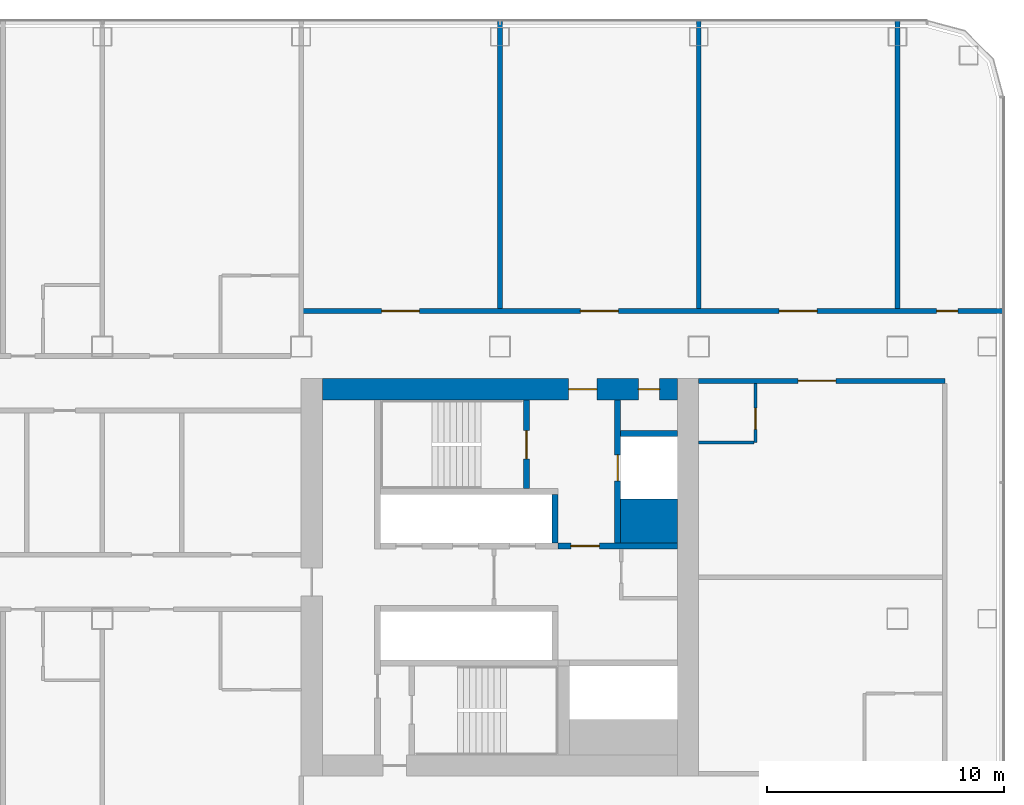
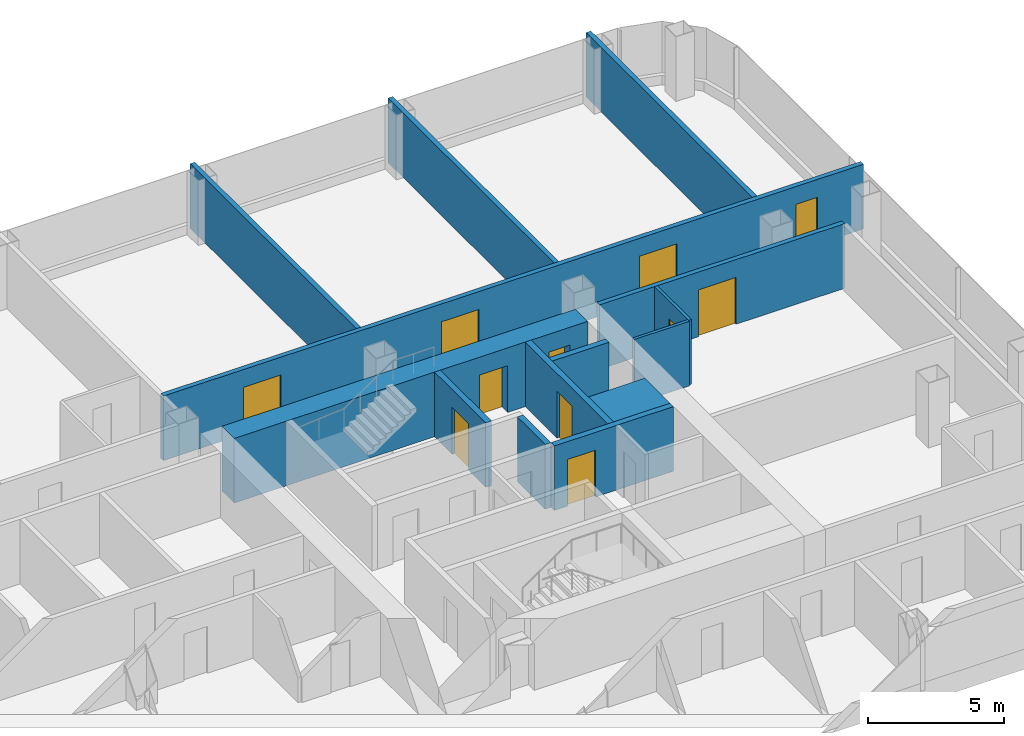
# One storey, part 20 of 29: 14 walls, 11 doors, 11 openings.
"""IFC4 building model written with IfcOpenShell, lengths in metres."""

from ifc_helpers import new_model, si_unit, direction, frame, frame_2d, origin, place, context, subcontext, project, spatial, rectangle, extrude, material, layer, layer_set, type_object, element, fill, save


model = new_model("IFC4")

# Units and contexts
model_context = context("Model", 3, precision=1e-05, world=origin(), true_north=direction((0.0, 1.0)))
body_context = subcontext(model_context, "Body", "Model", "MODEL_VIEW")
ifc_project = project(units=[si_unit("LENGTHUNIT", "METRE"), si_unit("AREAUNIT", "SQUARE_METRE"), si_unit("VOLUMEUNIT", "CUBIC_METRE"), si_unit("PLANEANGLEUNIT", "RADIAN"), si_unit("MASSUNIT", "GRAM", prefix="KILO")], contexts=[model_context])

# Site, building, storey
site_placement = place(None, origin())
site = spatial("IfcSite", under=ifc_project, at=site_placement, CompositionType="ELEMENT")
building_placement = place(site_placement, origin())
building = spatial("IfcBuilding", under=site, at=building_placement, Name="Hakoniwa Tower and Hamabe Station Hall", CompositionType="ELEMENT")
storey_placement = place(building_placement, frame((0.0, 0.0, 117.0)))
storey = spatial("IfcBuildingStorey", under=building, at=storey_placement, Name="L33", CompositionType="ELEMENT", Elevation=117.0)

# Wall, openings, doors
ifc_material_1 = material(Name="Concrete C72", Category="concrete")
ifc_layer_1 = layer(ifc_material_1, 0.89990234375)
ifc_layer_set_1 = layer_set([ifc_layer_1], Name="CORE WALL 900 C72")
wall_type_1 = type_object("IfcWallType", Name="CORE WALL 900 C72", PredefinedType="SHEAR", material=ifc_layer_set_1)
wall_1_placement = place(storey_placement, frame((17.699951171875, 7.949951171875, 0.0), z_axis=(0.0, 0.0, 1.0), x_axis=(1.0, 0.0, 0.0)))
wall_1 = element("IfcWall", 1, at=wall_1_placement, inside=storey, type_object=wall_type_1, Name="Core wall NORTH east", PredefinedType="SHEAR", context=body_context, shape_type="SweptSolid", body=[
    extrude(rectangle(XDim=15.0, YDim=0.89990234375, at=frame_2d((7.5, 0.0))), origin(), (0.0, 0.0, 1.0), 2.89990234375),
])
opening_1_placement = place(wall_1_placement, frame((10.39990234375, 0.0, 0.0)))
opening_1 = element("IfcOpeningElement", 2, at=opening_1_placement, cuts=wall_1, Name="Opening CD-E-FN1-12", PredefinedType="OPENING", context=body_context, shape_type="SweptSolid", body=[
    extrude(rectangle(XDim=1.199951171875, YDim=2.10009765625, at=frame_2d((0.60009765625, 1.050048828125))), frame((0.0, 0.4599609375, 0.0), z_axis=(0.0, -1.0, 0.0), x_axis=(1.0, 0.0, 0.0)), (0.0, 0.0, 1.0), 0.919921875),
])
opening_2_placement = place(wall_1_placement, frame((13.35009765625, 0.0, 0.0)))
opening_2 = element("IfcOpeningElement", 3, at=opening_2_placement, cuts=wall_1, Name="Opening CD-E-FN2-9", PredefinedType="OPENING", context=body_context, shape_type="SweptSolid", body=[
    extrude(rectangle(XDim=0.89990234375, YDim=2.10009765625, at=frame_2d((0.449951171875, 1.050048828125))), frame((0.0, 0.4599609375, 0.0), z_axis=(0.0, -1.0, 0.0), x_axis=(1.0, 0.0, 0.0)), (0.0, 0.0, 1.0), 0.919921875),
])
ifc_material_2 = material(Name="Steel fire door", Category="steel")
door_type_1 = type_object("IfcDoorType", Name="CORE DOOR 1200 FD60", OperationType="DOUBLE_DOOR_SINGLE_SWING", PredefinedType="DOOR", material=ifc_material_2)
door_1_placement = place(opening_1_placement, origin())
door_1 = element("IfcDoor", 4, at=door_1_placement, inside=storey, type_object=door_type_1, Name="Stair vestibule door to the fire-fighting lobby", OperationType="DOUBLE_DOOR_SINGLE_SWING", OverallHeight=2.10009765625, OverallWidth=1.199951171875, PredefinedType="DOOR", context=body_context, shape_type="SweptSolid", body=[
    extrude(rectangle(XDim=1.199951171875, YDim=2.10009765625, at=frame_2d((0.60009765625, 1.050048828125))), frame((0.0, 0.02490234375, 0.0), z_axis=(0.0, -1.0, 0.0), x_axis=(1.0, 0.0, 0.0)), (0.0, 0.0, 1.0), 0.050048828125),
])
fill(opening_1, door_1)
ifc_material_3 = material(Name="Steel fire door", Category="steel")
door_type_2 = type_object("IfcDoorType", Name="CORE DOOR 900 FD30", OperationType="NOTDEFINED", PredefinedType="DOOR", material=ifc_material_3)
door_2_placement = place(opening_2_placement, origin())
door_2 = element("IfcDoor", 5, at=door_2_placement, inside=storey, type_object=door_type_2, Name="Riser access door", OperationType="SINGLE_SWING_RIGHT", OverallHeight=2.10009765625, OverallWidth=0.89990234375, PredefinedType="DOOR", context=body_context, shape_type="SweptSolid", body=[
    extrude(rectangle(XDim=0.89990234375, YDim=2.10009765625, at=frame_2d((0.449951171875, 1.050048828125))), frame((0.0, 0.02490234375, 0.0), z_axis=(0.0, -1.0, 0.0), x_axis=(1.0, 0.0, 0.0)), (0.0, 0.0, 1.0), 0.050048828125),
])
fill(opening_2, door_2)

# Walls
ifc_material_4 = material(Name="Concrete C72", Category="concrete")
ifc_layer_2 = layer(ifc_material_4, 1.85009765625)
ifc_layer_set_2 = layer_set([ifc_layer_2], Name="CORE WEB WALL 1850 C72")
wall_type_2 = type_object("IfcWallType", Name="CORE WEB WALL 1850 C72", PredefinedType="SHEAR", material=ifc_layer_set_2)
wall_2_placement = place(storey_placement, frame((30.300048828125, 2.375, 0.0), z_axis=(0.0, 0.0, 1.0), x_axis=(1.0, 0.0, 0.0)))
element("IfcWall", 6, at=wall_2_placement, inside=storey, type_object=wall_type_2, Name="Core wall CA east", PredefinedType="SHEAR", context=body_context, shape_type="SweptSolid", body=[
    extrude(rectangle(XDim=2.39990234375, YDim=1.85009765625, at=frame_2d((1.199951171875, 0.0))), origin(), (0.0, 0.0, 1.0), 2.89990234375),
])
ifc_material_5 = material(Name="Concrete C72", Category="concrete")
ifc_layer_3 = layer(ifc_material_5, 0.25)
ifc_layer_set_3 = layer_set([ifc_layer_3], Name="CORE WEB WALL 250 C72")
wall_type_3 = type_object("IfcWallType", Name="CORE WEB WALL 250 C72", PredefinedType="SHEAR", material=ifc_layer_set_3)
wall_3_placement = place(storey_placement, frame((27.52490234375, 1.449951171875, 0.0), z_axis=(0.0, 0.0, 1.0), x_axis=(0.0, 1.0, 0.0)))
element("IfcWall", 7, at=wall_3_placement, inside=storey, type_object=wall_type_3, Name="Core wall NE east", PredefinedType="SHEAR", context=body_context, shape_type="SweptSolid", body=[
    extrude(rectangle(XDim=2.050048828125, YDim=0.25, at=frame_2d((1.02490234375, 0.0))), origin(), (0.0, 0.0, 1.0), 2.89990234375),
])

# Wall, opening, door
wall_4_placement = place(storey_placement, frame((26.324951171875, 3.75, 0.0), z_axis=(0.0, 0.0, 1.0), x_axis=(0.0, 1.0, 0.0)))
wall_4 = element("IfcWall", 8, at=wall_4_placement, inside=storey, type_object=wall_type_3, Name="Core wall NSE east", PredefinedType="SHEAR", context=body_context, shape_type="SweptSolid", body=[
    extrude(rectangle(XDim=3.75, YDim=0.25, at=frame_2d((1.875, 0.0))), origin(), (0.0, 0.0, 1.0), 2.89990234375),
])
opening_3_placement = place(wall_4_placement, frame((1.25, 0.0, 0.0)))
opening_3 = element("IfcOpeningElement", 9, at=opening_3_placement, cuts=wall_4, Name="Opening CD-E-SN-12", PredefinedType="OPENING", context=body_context, shape_type="SweptSolid", body=[
    extrude(rectangle(XDim=1.199951171875, YDim=2.10009765625, at=frame_2d((0.60009765625, 1.050048828125))), frame((0.0, 0.135009765625, 0.0), z_axis=(0.0, -1.0, 0.0), x_axis=(1.0, 0.0, 0.0)), (0.0, 0.0, 1.0), 0.27001953125),
])
door_3_placement = place(opening_3_placement, origin())
door_3 = element("IfcDoor", 10, at=door_3_placement, inside=storey, type_object=door_type_1, Name="Escape stair door", OperationType="DOUBLE_DOOR_SINGLE_SWING", OverallHeight=2.10009765625, OverallWidth=1.199951171875, PredefinedType="DOOR", context=body_context, shape_type="SweptSolid", body=[
    extrude(rectangle(XDim=1.199951171875, YDim=2.10009765625, at=frame_2d((0.60009765625, 1.050048828125))), frame((0.0, 0.02490234375, 0.0), z_axis=(0.0, -1.0, 0.0), x_axis=(1.0, 0.0, 0.0)), (0.0, 0.0, 1.0), 0.050048828125),
])
fill(opening_3, door_3)

wall_5_placement = place(storey_placement, frame((27.64990234375, 1.324951171875, 0.0), z_axis=(0.0, 0.0, 1.0), x_axis=(1.0, 0.0, 0.0)))
wall_5 = element("IfcWall", 11, at=wall_5_placement, inside=storey, type_object=wall_type_3, Name="Core wall ELN east", PredefinedType="SHEAR", context=body_context, shape_type="SweptSolid", body=[
    extrude(rectangle(XDim=5.050048828125, YDim=0.25, at=frame_2d((2.52490234375, 0.0))), origin(), (0.0, 0.0, 1.0), 2.89990234375),
])
opening_4_placement = place(wall_5_placement, frame((0.550048828125, 0.0, 0.0)))
opening_4 = element("IfcOpeningElement", 12, at=opening_4_placement, cuts=wall_5, Name="Opening CD-E-FL-12", PredefinedType="OPENING", context=body_context, shape_type="SweptSolid", body=[
    extrude(rectangle(XDim=1.199951171875, YDim=2.10009765625, at=frame_2d((0.60009765625, 1.050048828125))), frame((0.0, 0.135009765625, 0.0), z_axis=(0.0, -1.0, 0.0), x_axis=(1.0, 0.0, 0.0)), (0.0, 0.0, 1.0), 0.27001953125),
])
door_4_placement = place(opening_4_placement, origin())
door_4 = element("IfcDoor", 13, at=door_4_placement, inside=storey, type_object=door_type_1, Name="Stair vestibule door to the fire-fighting lobby", OperationType="DOUBLE_DOOR_SINGLE_SWING", OverallHeight=2.10009765625, OverallWidth=1.199951171875, PredefinedType="DOOR", context=body_context, shape_type="SweptSolid", body=[
    extrude(rectangle(XDim=1.199951171875, YDim=2.10009765625, at=frame_2d((0.60009765625, 1.050048828125))), frame((0.0, 0.02490234375, 0.0), z_axis=(0.0, -1.0, 0.0), x_axis=(1.0, 0.0, 0.0)), (0.0, 0.0, 1.0), 0.050048828125),
])
fill(opening_4, door_4)

wall_6_placement = place(storey_placement, frame((30.175048828125, 1.449951171875, 0.0), z_axis=(0.0, 0.0, 1.0), x_axis=(0.0, 1.0, 0.0)))
wall_6 = element("IfcWall", 14, at=wall_6_placement, inside=storey, type_object=wall_type_3, Name="Core wall FFF east", PredefinedType="SHEAR", context=body_context, shape_type="SweptSolid", body=[
    extrude(rectangle(XDim=6.050048828125, YDim=0.25, at=frame_2d((3.02490234375, 0.0))), origin(), (0.0, 0.0, 1.0), 2.89990234375),
])
opening_5_placement = place(wall_6_placement, frame((2.625, 0.0, 0.0)))
opening_5 = element("IfcOpeningElement", 15, at=opening_5_placement, cuts=wall_6, Name="Opening LD-FF2", PredefinedType="OPENING", context=body_context, shape_type="SweptSolid", body=[
    extrude(rectangle(XDim=1.10009765625, YDim=2.10009765625, at=frame_2d((0.550048828125, 1.050048828125))), frame((0.0, 0.135009765625, 0.0), z_axis=(0.0, -1.0, 0.0), x_axis=(1.0, 0.0, 0.0)), (0.0, 0.0, 1.0), 0.27001953125),
])
ifc_material_6 = material(Name="Stainless steel SUS304", Category="steel")
door_type_3 = type_object("IfcDoorType", Name="LIFT LANDING DOOR 1100 FD60", OperationType="DOUBLE_DOOR_SLIDING", PredefinedType="DOOR", material=ifc_material_6)
door_5_placement = place(opening_5_placement, origin())
door_5 = element("IfcDoor", 16, at=door_5_placement, inside=storey, type_object=door_type_3, Name="Lift landing door FF2 L33", OperationType="DOUBLE_DOOR_SLIDING", OverallHeight=2.10009765625, OverallWidth=1.10009765625, PredefinedType="DOOR", context=body_context, shape_type="SweptSolid", body=[
    extrude(rectangle(XDim=1.10009765625, YDim=2.10009765625, at=frame_2d((0.550048828125, 1.050048828125))), frame((0.0, 0.02490234375, 0.0), z_axis=(0.0, -1.0, 0.0), x_axis=(1.0, 0.0, 0.0)), (0.0, 0.0, 1.0), 0.050048828125),
])
fill(opening_5, door_5)

# Wall
wall_7_placement = place(storey_placement, frame((30.300048828125, 6.074951171875, 0.0), z_axis=(0.0, 0.0, 1.0), x_axis=(1.0, 0.0, 0.0)))
element("IfcWall", 17, at=wall_7_placement, inside=storey, type_object=wall_type_3, Name="Core wall C2 east", PredefinedType="SHEAR", context=body_context, shape_type="SweptSolid", body=[
    extrude(rectangle(XDim=2.39990234375, YDim=0.25, at=frame_2d((1.199951171875, 0.0))), origin(), (0.0, 0.0, 1.0), 2.89990234375),
])

# Wall, opening, door
ifc_material_7 = material(Name="Fire-rated gypsum board partition", Category="gypsum")
ifc_layer_4 = layer(ifc_material_7, 0.199951171875)
ifc_layer_set_4 = layer_set([ifc_layer_4], Name="Corridor Wall 200")
wall_type_4 = type_object("IfcWallType", Name="Corridor Wall 200", PredefinedType="PARTITIONING", material=ifc_layer_set_4)
wall_8_placement = place(storey_placement, frame((33.60009765625, 8.300048828125, 0.0), z_axis=(0.0, 0.0, 1.0), x_axis=(1.0, 0.0, 0.0)))
wall_8 = element("IfcWall", 18, at=wall_8_placement, inside=storey, type_object=wall_type_4, Name="GW-L33-019", PredefinedType="PARTITIONING", context=body_context, shape_type="SweptSolid", body=[
    extrude(rectangle(XDim=10.39990234375, YDim=0.199951171875, at=frame_2d((5.199951171875, 0.0))), origin(), (0.0, 0.0, 1.0), 2.89990234375),
])
opening_6_placement = place(wall_8_placement, frame((4.199951171875, 0.0, 0.0)))
opening_6 = element("IfcOpeningElement", 19, at=opening_6_placement, cuts=wall_8, Name="Opening GD-G2D2-36", PredefinedType="OPENING", context=body_context, shape_type="SweptSolid", body=[
    extrude(rectangle(XDim=1.60009765625, YDim=2.10009765625, at=frame_2d((0.800048828125, 1.050048828125))), frame((0.0, 0.10986328125, 0.0), z_axis=(0.0, -1.0, 0.0), x_axis=(1.0, 0.0, 0.0)), (0.0, 0.0, 1.0), 0.219970703125),
])
ifc_material_8 = material(Name="Timber door leaf", Category="wood")
door_type_4 = type_object("IfcDoorType", Name="Double Door 1600", OperationType="DOUBLE_DOOR_SINGLE_SWING", PredefinedType="DOOR", material=ifc_material_8)
door_6_placement = place(opening_6_placement, origin())
door_6 = element("IfcDoor", 20, at=door_6_placement, inside=storey, type_object=door_type_4, Name="Door GD-G2D2-36", OperationType="DOUBLE_DOOR_SINGLE_SWING", OverallHeight=2.10009765625, OverallWidth=1.60009765625, PredefinedType="DOOR", context=body_context, shape_type="SweptSolid", body=[
    extrude(rectangle(XDim=1.60009765625, YDim=2.10009765625, at=frame_2d((0.800048828125, 1.050048828125))), frame((0.0, 0.02490234375, 0.0), z_axis=(0.0, -1.0, 0.0), x_axis=(1.0, 0.0, 0.0)), (0.0, 0.0, 1.0), 0.050048828125),
])
fill(opening_6, door_6)

# Wall, openings, doors
wall_9_placement = place(storey_placement, frame((16.800048828125, 11.25, 0.0), z_axis=(0.0, 0.0, 1.0), x_axis=(1.0, 0.0, 0.0)))
wall_9 = element("IfcWall", 21, at=wall_9_placement, inside=storey, type_object=wall_type_4, Name="GW-L33-022", PredefinedType="PARTITIONING", context=body_context, shape_type="SweptSolid", body=[
    extrude(rectangle(XDim=29.699951171875, YDim=0.199951171875, at=frame_2d((14.85009765625, 0.0))), origin(), (0.0, 0.0, 1.0), 2.89990234375),
])
opening_7_placement = place(wall_9_placement, frame((3.39990234375, 0.0, 0.0)))
opening_7 = element("IfcOpeningElement", 22, at=opening_7_placement, cuts=wall_9, Name="Opening GD-G2D2-48", PredefinedType="OPENING", context=body_context, shape_type="SweptSolid", body=[
    extrude(rectangle(XDim=1.60009765625, YDim=2.10009765625, at=frame_2d((0.800048828125, 1.050048828125))), frame((0.0, 0.10986328125, 0.0), z_axis=(0.0, -1.0, 0.0), x_axis=(1.0, 0.0, 0.0)), (0.0, 0.0, 1.0), 0.219970703125),
])
opening_8_placement = place(wall_9_placement, frame((11.800048828125, 0.0, 0.0)))
opening_8 = element("IfcOpeningElement", 23, at=opening_8_placement, cuts=wall_9, Name="Opening GD-G2D2-49", PredefinedType="OPENING", context=body_context, shape_type="SweptSolid", body=[
    extrude(rectangle(XDim=1.60009765625, YDim=2.10009765625, at=frame_2d((0.800048828125, 1.050048828125))), frame((0.0, 0.10986328125, 0.0), z_axis=(0.0, -1.0, 0.0), x_axis=(1.0, 0.0, 0.0)), (0.0, 0.0, 1.0), 0.219970703125),
])
opening_9_placement = place(wall_9_placement, frame((20.199951171875, 0.0, 0.0)))
opening_9 = element("IfcOpeningElement", 24, at=opening_9_placement, cuts=wall_9, Name="Opening GD-G2D2-50", PredefinedType="OPENING", context=body_context, shape_type="SweptSolid", body=[
    extrude(rectangle(XDim=1.60009765625, YDim=2.10009765625, at=frame_2d((0.800048828125, 1.050048828125))), frame((0.0, 0.10986328125, 0.0), z_axis=(0.0, -1.0, 0.0), x_axis=(1.0, 0.0, 0.0)), (0.0, 0.0, 1.0), 0.219970703125),
])
opening_10_placement = place(wall_9_placement, frame((26.85009765625, 0.0, 0.0)))
opening_10 = element("IfcOpeningElement", 25, at=opening_10_placement, cuts=wall_9, Name="Opening GD-G2D2-51", PredefinedType="OPENING", context=body_context, shape_type="SweptSolid", body=[
    extrude(rectangle(XDim=0.89990234375, YDim=2.10009765625, at=frame_2d((0.449951171875, 1.050048828125))), frame((0.0, 0.10986328125, 0.0), z_axis=(0.0, -1.0, 0.0), x_axis=(1.0, 0.0, 0.0)), (0.0, 0.0, 1.0), 0.219970703125),
])
door_7_placement = place(opening_7_placement, origin())
door_7 = element("IfcDoor", 26, at=door_7_placement, inside=storey, type_object=door_type_4, Name="Door GD-G2D2-48", OperationType="DOUBLE_DOOR_SINGLE_SWING", OverallHeight=2.10009765625, OverallWidth=1.60009765625, PredefinedType="DOOR", context=body_context, shape_type="SweptSolid", body=[
    extrude(rectangle(XDim=1.60009765625, YDim=2.10009765625, at=frame_2d((0.800048828125, 1.050048828125))), frame((0.0, 0.02490234375, 0.0), z_axis=(0.0, -1.0, 0.0), x_axis=(1.0, 0.0, 0.0)), (0.0, 0.0, 1.0), 0.050048828125),
])
fill(opening_7, door_7)
door_8_placement = place(opening_8_placement, origin())
door_8 = element("IfcDoor", 27, at=door_8_placement, inside=storey, type_object=door_type_4, Name="Door GD-G2D2-49", OperationType="DOUBLE_DOOR_SINGLE_SWING", OverallHeight=2.10009765625, OverallWidth=1.60009765625, PredefinedType="DOOR", context=body_context, shape_type="SweptSolid", body=[
    extrude(rectangle(XDim=1.60009765625, YDim=2.10009765625, at=frame_2d((0.800048828125, 1.050048828125))), frame((0.0, 0.02490234375, 0.0), z_axis=(0.0, -1.0, 0.0), x_axis=(1.0, 0.0, 0.0)), (0.0, 0.0, 1.0), 0.050048828125),
])
fill(opening_8, door_8)
door_9_placement = place(opening_9_placement, origin())
door_9 = element("IfcDoor", 28, at=door_9_placement, inside=storey, type_object=door_type_4, Name="Door GD-G2D2-50", OperationType="DOUBLE_DOOR_SINGLE_SWING", OverallHeight=2.10009765625, OverallWidth=1.60009765625, PredefinedType="DOOR", context=body_context, shape_type="SweptSolid", body=[
    extrude(rectangle(XDim=1.60009765625, YDim=2.10009765625, at=frame_2d((0.800048828125, 1.050048828125))), frame((0.0, 0.02490234375, 0.0), z_axis=(0.0, -1.0, 0.0), x_axis=(1.0, 0.0, 0.0)), (0.0, 0.0, 1.0), 0.050048828125),
])
fill(opening_9, door_9)
ifc_material_9 = material(Name="Timber door leaf", Category="wood")
door_type_5 = type_object("IfcDoorType", Name="Service Door 900", OperationType="SINGLE_SWING_LEFT", PredefinedType="DOOR", material=ifc_material_9)
door_10_placement = place(opening_10_placement, origin())
door_10 = element("IfcDoor", 29, at=door_10_placement, inside=storey, type_object=door_type_5, Name="Door GD-G2D2-51", OperationType="SINGLE_SWING_RIGHT", OverallHeight=2.10009765625, OverallWidth=0.89990234375, PredefinedType="DOOR", context=body_context, shape_type="SweptSolid", body=[
    extrude(rectangle(XDim=0.89990234375, YDim=2.10009765625, at=frame_2d((0.449951171875, 1.050048828125))), frame((0.0, 0.02490234375, 0.0), z_axis=(0.0, -1.0, 0.0), x_axis=(1.0, 0.0, 0.0)), (0.0, 0.0, 1.0), 0.050048828125),
])
fill(opening_10, door_10)

# Walls
ifc_material_10 = material(Name="Fire-rated gypsum board partition", Category="gypsum")
ifc_layer_5 = layer(ifc_material_10, 0.199951171875)
ifc_layer_set_5 = layer_set([ifc_layer_5], Name="Party Wall 200")
wall_type_5 = type_object("IfcWallType", Name="Party Wall 200", PredefinedType="PARTITIONING", material=ifc_layer_set_5)
for number, where, z_axis, x_axis, name in (
    (30, (25.199951171875, 11.35009765625, 0.0), (0.0, 0.0, 1.0), (0.0, 1.0, 0.0), "GW-L33-077"),
    (31, (33.60009765625, 11.35009765625, 0.0), (0.0, 0.0, 1.0), (0.0, 1.0, 0.0), "GW-L33-080"),
    (32, (42.0, 11.35009765625, 0.0), (0.0, 0.0, 1.0), (0.0, 1.0, 0.0), "GW-L33-085"),
):
    element("IfcWall", number, at=place(storey_placement, frame(where, z_axis=z_axis, x_axis=x_axis)), inside=storey, type_object=wall_type_5, Name=name, PredefinedType="PARTITIONING", context=body_context, shape_type="SweptSolid", body=[
        extrude(rectangle(XDim=12.199951171875, YDim=0.199951171875, at=frame_2d((6.10009765625, 0.0))), origin(), (0.0, 0.0, 1.0), 2.89990234375),
    ])
ifc_material_11 = material(Name="Gypsum board partition", Category="gypsum")
ifc_layer_6 = layer(ifc_material_11, 0.125)
ifc_layer_set_6 = layer_set([ifc_layer_6], Name="Room Partition 125")
wall_type_6 = type_object("IfcWallType", Name="Room Partition 125", PredefinedType="PARTITIONING", material=ifc_layer_set_6)
wall_10_placement = place(storey_placement, frame((33.60009765625, 5.699951171875, 0.0), z_axis=(0.0, 0.0, 1.0), x_axis=(1.0, 0.0, 0.0)))
element("IfcWall", 33, at=wall_10_placement, inside=storey, type_object=wall_type_6, Name="GW-L33-016", PredefinedType="PARTITIONING", context=body_context, shape_type="SweptSolid", body=[
    extrude(rectangle(XDim=2.33740234375, YDim=0.125, at=frame_2d((1.168701171875, 0.0))), origin(), (0.0, 0.0, 1.0), 2.89990234375),
])

# Wall, opening, door
wall_11_placement = place(storey_placement, frame((36.0, 5.699951171875, 0.0), z_axis=(0.0, 0.0, 1.0), x_axis=(0.0, 1.0, 0.0)))
wall_11 = element("IfcWall", 34, at=wall_11_placement, inside=storey, type_object=wall_type_6, Name="GW-L33-081", PredefinedType="PARTITIONING", context=body_context, shape_type="SweptSolid", body=[
    extrude(rectangle(XDim=2.5, YDim=0.125, at=frame_2d((1.25, 0.0))), origin(), (0.0, 0.0, 1.0), 2.89990234375),
])
opening_11_placement = place(wall_11_placement, frame((0.550048828125, 0.0, 0.0)))
opening_11 = element("IfcOpeningElement", 35, at=opening_11_placement, cuts=wall_11, Name="Opening GD-G2D2-63", PredefinedType="OPENING", context=body_context, shape_type="SweptSolid", body=[
    extrude(rectangle(XDim=0.89990234375, YDim=2.10009765625, at=frame_2d((0.449951171875, 1.050048828125))), frame((0.0, 0.072509765625, 0.0), z_axis=(0.0, -1.0, 0.0), x_axis=(1.0, 0.0, 0.0)), (0.0, 0.0, 1.0), 0.14501953125),
])
ifc_material_12 = material(Name="Timber door leaf", Category="wood")
door_type_6 = type_object("IfcDoorType", Name="Suite Interior Door 900", OperationType="SINGLE_SWING_LEFT", PredefinedType="DOOR", material=ifc_material_12)
door_11_placement = place(opening_11_placement, origin())
door_11 = element("IfcDoor", 36, at=door_11_placement, inside=storey, type_object=door_type_6, Name="Door GD-G2D2-63", OperationType="SINGLE_SWING_RIGHT", OverallHeight=2.10009765625, OverallWidth=0.89990234375, PredefinedType="DOOR", context=body_context, shape_type="SweptSolid", body=[
    extrude(rectangle(XDim=0.89990234375, YDim=2.10009765625, at=frame_2d((0.449951171875, 1.050048828125))), frame((0.0, 0.02490234375, 0.0), z_axis=(0.0, -1.0, 0.0), x_axis=(1.0, 0.0, 0.0)), (0.0, 0.0, 1.0), 0.050048828125),
])
fill(opening_11, door_11)

save(model, "model.ifc")
